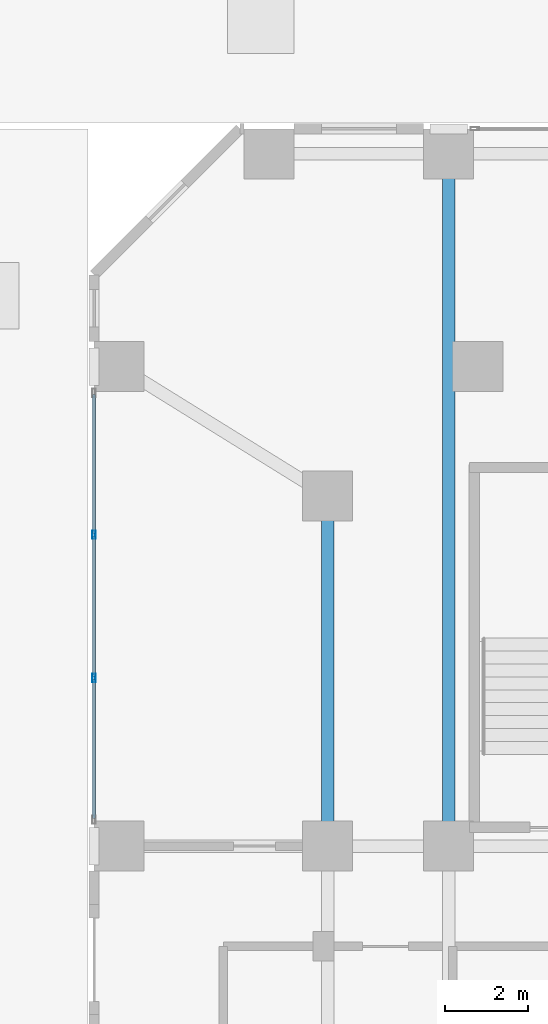
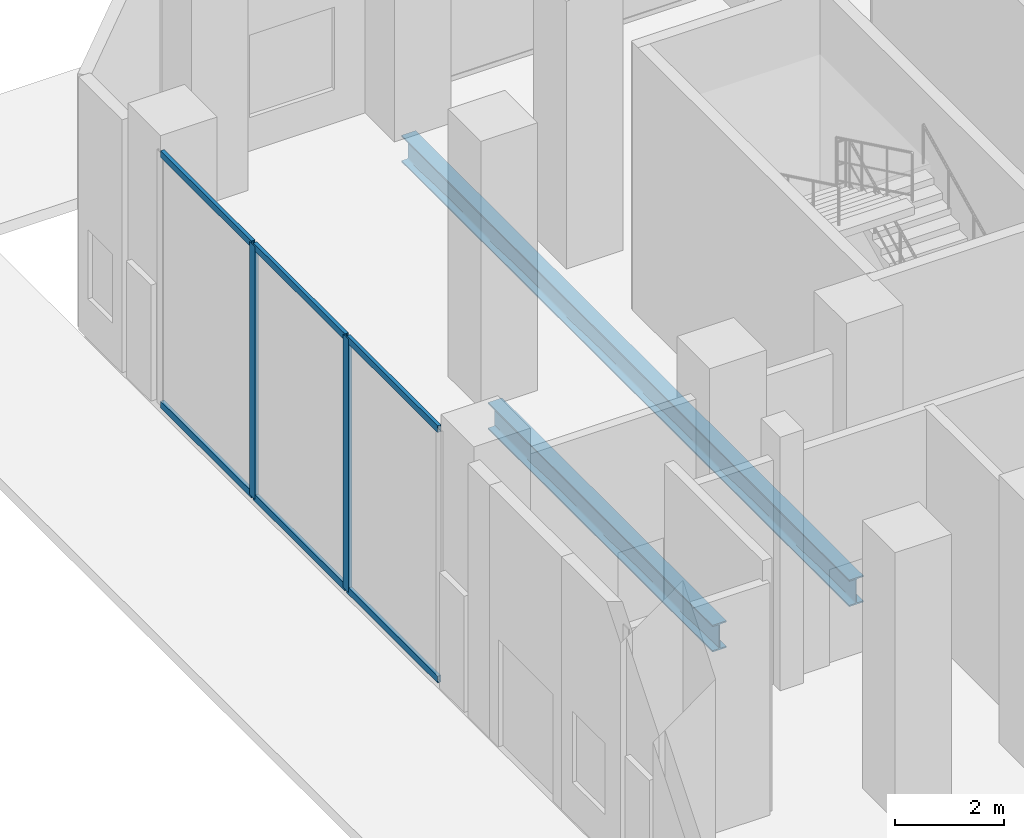
# One storey, part 6 of 26: 8 members, 2 beams, 1 element without a shape of its own.
"""IFC4 building model written with IfcOpenShell, lengths in metres."""

import ifcopenshell
import ifcopenshell.guid

model = None  # the IFC model being written
_history = None  # IfcOwnerHistory: only IFC2X3 demands one
_inside = {}  # id of a spatial element -> (the spatial element, [elements in it])
_under = {}  # id of a project, library or spatial element -> (it, [spatial elements below it])
_declared = {}  # id of a project -> (the project, [libraries it declares])
_typed = {}  # id of a type object -> (the type object, [elements of that type])
_made_of = {}  # id of a material, layer set ... -> (it, [elements and type objects made of it])


def new_model(schema):
    """Start an empty IFC model of exactly this schema.

    Asked for "IFC4X3", IfcOpenShell would pick the latest addendum, in which some entities
    have other attributes; the version numbers below select the first issue.
    IFC2X3 requires an IfcOwnerHistory on every rooted entity: one is made here for all.
    """
    global model, _history
    if schema == "IFC4X3":
        model = ifcopenshell.file(schema_version=(4, 3, 0, 0))
    else:
        model = ifcopenshell.file(schema=schema)
    _inside.clear()
    _under.clear()
    _declared.clear()
    _typed.clear()
    _made_of.clear()
    _history = None
    if model.schema == "IFC2X3":
        org = make("IfcOrganization", Name="unknown")
        user = make(
            "IfcPersonAndOrganization",
            ThePerson=make("IfcPerson", FamilyName="unknown"),
            TheOrganization=org,
        )
        app = make(
            "IfcApplication",
            ApplicationDeveloper=org,
            Version="unknown",
            ApplicationFullName="unknown",
            ApplicationIdentifier="unknown",
        )
        _history = make(
            "IfcOwnerHistory",
            OwningUser=user,
            OwningApplication=app,
            ChangeAction="ADDED",
            CreationDate=0,
        )
    return model


def make(cls, **values):
    """One entity of the class cls with the attributes given. An attribute that is None is left unset."""
    return model.create_entity(
        cls, **{name: value for name, value in values.items() if value is not None}
    )


def rooted(cls, **values):
    """An entity with a GlobalId (a new one), such as an element, a storey or a relation."""
    return make(cls, GlobalId=ifcopenshell.guid.new(), OwnerHistory=_history, **values)


def si_unit(unit_type, name, prefix=None):
    """IfcSIUnit, for example si_unit("LENGTHUNIT", "METRE", prefix="MILLI")."""
    return make("IfcSIUnit", UnitType=unit_type, Prefix=prefix, Name=name)


def assignment(units):
    """IfcUnitAssignment: the units of a project."""
    return None if units is None else make("IfcUnitAssignment", Units=units)


def point(xyz):
    """IfcCartesianPoint."""
    return None if xyz is None else make("IfcCartesianPoint", Coordinates=xyz)


def direction(xyz):
    """IfcDirection."""
    return None if xyz is None else make("IfcDirection", DirectionRatios=xyz)


def frame(location, z_axis=None, x_axis=None):
    """IfcAxis2Placement3D, a coordinate frame: its origin and axes. An axis left out is left unset."""
    return make(
        "IfcAxis2Placement3D",
        Location=point(location),
        Axis=direction(z_axis),
        RefDirection=direction(x_axis),
    )


def frame_2d(location, x_axis=None):
    """IfcAxis2Placement2D, a coordinate frame in the plane: its origin and x axis."""
    return make(
        "IfcAxis2Placement2D", Location=point(location), RefDirection=direction(x_axis)
    )


def origin():
    """The frame at (0, 0, 0) with its axes left unset."""
    return frame((0.0, 0.0, 0.0))


def origin_2d():
    """The frame at (0, 0) in the plane with its x axis left unset."""
    return frame_2d((0.0, 0.0))


def place(relative_to, where):
    """IfcLocalPlacement: puts the frame where relative to a parent placement (None: the world)."""
    return make(
        "IfcLocalPlacement", PlacementRelTo=relative_to, RelativePlacement=where
    )


def context(
    kind, dimensions, precision=None, world=None, true_north=None, identifier=None
):
    """IfcGeometricRepresentationContext, for example the 3D "Model" context."""
    return make(
        "IfcGeometricRepresentationContext",
        ContextIdentifier=identifier,
        ContextType=kind,
        CoordinateSpaceDimension=dimensions,
        Precision=precision,
        WorldCoordinateSystem=world,
        TrueNorth=true_north,
    )


def subcontext(parent, identifier, kind, view, scale=None):
    """IfcGeometricRepresentationSubContext, for example "Body" below "Model"."""
    return make(
        "IfcGeometricRepresentationSubContext",
        ContextIdentifier=identifier,
        ContextType=kind,
        ParentContext=parent,
        TargetScale=scale,
        TargetView=view,
    )


def project(units=None, contexts=None):
    """IfcProject with its units and contexts."""
    return rooted(
        "IfcProject",
        Name="project",
        RepresentationContexts=contexts,
        UnitsInContext=assignment(units),
    )


def spatial(cls, under=None, at=None, **own):
    """A site, building, storey or space (cls), placed at a placement, below another one or the project."""
    s = rooted(cls, ObjectPlacement=at, **own)
    if under is not None:
        _under.setdefault(under.id(), (under, []))[1].append(s)
    return s


def profile(cls, at=None, kind="AREA", **sizes):
    """A parametric profile (cls). Its sizes go by their IFC names, for example OverallWidth=200.0."""
    return make(cls, ProfileType=kind, Position=at, **sizes)


def hollow_rectangle(**sizes):
    """IfcRectangleHollowProfileDef."""
    return profile("IfcRectangleHollowProfileDef", **sizes)


def i_section(**sizes):
    """IfcIShapeProfileDef."""
    return profile("IfcIShapeProfileDef", **sizes)


def extrude(swept, where, along, depth):
    """IfcExtrudedAreaSolid: the profile swept, set in the frame where, extruded along a direction by depth."""
    return make(
        "IfcExtrudedAreaSolid",
        SweptArea=swept,
        Position=where,
        ExtrudedDirection=direction(along),
        Depth=depth,
    )


def shape(context_of_items, identifier, shape_type, items):
    """IfcShapeRepresentation: the items that make up one representation, for example the "Body"."""
    return make(
        "IfcShapeRepresentation",
        ContextOfItems=context_of_items,
        RepresentationIdentifier=identifier,
        RepresentationType=shape_type,
        Items=items,
    )


def material(Name=None, Category=None):
    """IfcMaterial."""
    return make("IfcMaterial", Name=Name, Category=Category)


def layer(
    of_material, thickness, ventilated=None, Name=None, Category=None, Priority=None
):
    """IfcMaterialLayer: one layer of a wall or slab, of a material (None: an air gap)."""
    return make(
        "IfcMaterialLayer",
        Material=of_material,
        LayerThickness=thickness,
        IsVentilated=ventilated,
        Name=Name,
        Category=Category,
        Priority=Priority,
    )


def layer_set(layers, Name=None):
    """IfcMaterialLayerSet."""
    return make("IfcMaterialLayerSet", MaterialLayers=layers, LayerSetName=Name)


def material_profile(
    of_material, cross_section, Name=None, Category=None, Priority=None
):
    """IfcMaterialProfile: a cross section and its material."""
    return make(
        "IfcMaterialProfile",
        Name=Name,
        Material=of_material,
        Profile=cross_section,
        Priority=Priority,
        Category=Category,
    )


def profile_set(profiles, Name=None, composite=None):
    """IfcMaterialProfileSet."""
    return make(
        "IfcMaterialProfileSet",
        Name=Name,
        MaterialProfiles=profiles,
        CompositeProfile=composite,
    )


def made_of(thing, what):
    """Note that an element or type object is made of a material, layer set ...; save() writes the relation."""
    if what is not None:
        _made_of.setdefault(what.id(), (what, []))[1].append(thing)
    return thing


def type_object(cls, material=None, **own):
    """A type object (cls), such as IfcWallType, which elements share."""
    return made_of(rooted(cls, **own), material)


def element(
    cls,
    number,
    at=None,
    inside=None,
    cuts=None,
    type_object=None,
    material=None,
    context=None,
    identifier="Body",
    shape_type=None,
    held_by="IfcProductDefinitionShape",
    body=None,
    shapes=None,
    **own,
):
    """One element of the class cls, such as IfcWall. Its Tag is "e" and its number.

    at: its placement. inside: the storey or other place that contains it. cuts: it is an
    opening in that element (IfcRelVoidsElement). A single representation is given by context,
    identifier, shape_type and body (its items); several are given by shapes. held_by: the class
    of the entity that holds the representations. save() writes the other relations.
    """
    e = rooted(cls, Tag="e%d" % number, ObjectPlacement=at, **own)
    if body is not None:
        shapes = [shape(context, identifier, shape_type, body)]
    if shapes is not None:
        e.Representation = make(held_by, Representations=shapes)
    if inside is not None:
        _inside.setdefault(inside.id(), (inside, []))[1].append(e)
    if cuts is not None:
        rooted(
            "IfcRelVoidsElement", RelatingBuildingElement=cuts, RelatedOpeningElement=e
        )
    if type_object is not None:
        _typed.setdefault(type_object.id(), (type_object, []))[1].append(e)
    return made_of(e, material)


def aggregate(whole, parts):
    """IfcRelAggregates: a whole, such as a stair, and the parts it consists of."""
    return rooted("IfcRelAggregates", RelatingObject=whole, RelatedObjects=parts)


def save(model, path):
    """Write the relations noted so far, then the file.

    IfcRelAggregates (storeys below a building ...), IfcRelContainedInSpatialStructure (elements
    in a storey), IfcRelDefinesByType, IfcRelAssociatesMaterial and IfcRelDeclares: one each for
    every whole, place, type object, material and project.
    """
    for whole, parts in _under.values():
        aggregate(whole, parts)
    for where, things in _inside.values():
        rooted(
            "IfcRelContainedInSpatialStructure",
            RelatedElements=things,
            RelatingStructure=where,
        )
    for kind, things in _typed.values():
        rooted("IfcRelDefinesByType", RelatedObjects=things, RelatingType=kind)
    for what, things in _made_of.values():
        rooted("IfcRelAssociatesMaterial", RelatedObjects=things, RelatingMaterial=what)
    for by, libraries in _declared.values():
        rooted("IfcRelDeclares", RelatingContext=by, RelatedDefinitions=libraries)
    model.write(path)


model = new_model("IFC4")

# Units and contexts
model_context = context("Model", 3, precision=1e-05, world=origin(), true_north=direction((0.0, 1.0)))
body_context = subcontext(model_context, "Body", "Model", "MODEL_VIEW")
ifc_project = project(units=[si_unit("LENGTHUNIT", "METRE"), si_unit("AREAUNIT", "SQUARE_METRE"), si_unit("VOLUMEUNIT", "CUBIC_METRE"), si_unit("PLANEANGLEUNIT", "RADIAN"), si_unit("MASSUNIT", "GRAM", prefix="KILO")], contexts=[model_context])

# Site, building, storey
site_placement = place(None, origin())
site = spatial("IfcSite", under=ifc_project, at=site_placement, CompositionType="ELEMENT")
building_placement = place(site_placement, origin())
building = spatial("IfcBuilding", under=site, at=building_placement, Name="Catumbela Crestline Tower", CompositionType="ELEMENT")
storey_placement = place(building_placement, origin())
storey = spatial("IfcBuildingStorey", under=building, at=storey_placement, Name="L00", CompositionType="ELEMENT", Elevation=0.0)

# Beams
ifc_material_1 = material(Name="Structural steel S355J2", Category="steel")
ifc_material_profile_1 = material_profile(ifc_material_1, i_section(OverallWidth=0.3, OverallDepth=0.6, WebThickness=0.0155, FlangeThickness=0.03, FilletRadius=0.027, at=origin_2d()), Name="HEB 600")
ifc_profile_set_1 = profile_set([ifc_material_profile_1], Name="Structural steel S355J2")
beam_type = type_object("IfcBeamType", Name="BG-HEB600", PredefinedType="BEAM", material=ifc_profile_set_1)
beam_1_placement = place(storey_placement, frame((5.6, 30.88, -0.62), z_axis=(0.0, 1.0, 0.0), x_axis=(-1.0, 0.0, 0.0)))
element("IfcBeam", 1, at=beam_1_placement, inside=storey, type_object=beam_type, Name="L00 Beam BM-L00-SN24", PredefinedType="BEAM", context=body_context, shape_type="SweptSolid", body=[
    extrude(i_section(OverallWidth=0.3, OverallDepth=0.6, WebThickness=0.0155, FlangeThickness=0.03, FilletRadius=0.027, at=origin_2d()), origin(), (0.0, 0.0, 1.0), 8.24),
])
beam_2_placement = place(storey_placement, frame((8.5, 30.88, -0.62), z_axis=(0.0, 1.0, 0.0), x_axis=(-1.0, 0.0, 0.0)))
element("IfcBeam", 2, at=beam_2_placement, inside=storey, type_object=beam_type, Name="L00 Beam BM-L00-SN26", PredefinedType="BEAM", context=body_context, shape_type="SweptSolid", body=[
    extrude(i_section(OverallWidth=0.3, OverallDepth=0.6, WebThickness=0.0155, FlangeThickness=0.03, FilletRadius=0.027, at=origin_2d()), origin(), (0.0, 0.0, 1.0), 16.44),
])

# Curtain wall, members
ifc_material_2 = material(Name="Aluminium alloy AW-6060-T66", Category="aluminium")
ifc_layer = layer(ifc_material_2, 0.18, Name="Aluminium alloy AW-6060-T66")
ifc_layer_set = layer_set([ifc_layer], Name="Aluminium alloy AW-6060-T66")
curtain_wall_type = type_object("IfcCurtainWallType", Name="CWS-POD", PredefinedType="USERDEFINED", material=ifc_layer_set)
curtain_wall_placement = place(storey_placement, origin())
curtain_wall = element("IfcCurtainWall", 3, at=curtain_wall_placement, inside=storey, type_object=curtain_wall_type, Name="L00 Stick Curtain Wall CW-L00-E9S2", ObjectType="STICK", PredefinedType="USERDEFINED")
ifc_material_profile_2 = material_profile(ifc_material_2, hollow_rectangle(XDim=0.075, YDim=0.2, WallThickness=0.005, at=origin_2d()), Name="ALU 200x75x5")
ifc_profile_set_2 = profile_set([ifc_material_profile_2], Name="Aluminium alloy AW-6060-T66")
member_type_1 = type_object("IfcMemberType", Name="MUL-200X75", PredefinedType="MULLION", material=ifc_profile_set_2)
member_1_placement = place(storey_placement, frame((0.0, 38.2667, 0.0), z_axis=(0.0, 0.0, 1.0), x_axis=(1.0, 0.0, 0.0)))
member_1 = element("IfcMember", 4, at=member_1_placement, type_object=member_type_1, Name="CWS-POD mullion 2", PredefinedType="MULLION", context=body_context, shape_type="SweptSolid", body=[
    extrude(hollow_rectangle(XDim=0.075, YDim=0.2, WallThickness=0.005, at=origin_2d()), origin(), (0.0, 0.0, 1.0), 5.67),
])
member_2_placement = place(storey_placement, frame((0.0, 34.8333, 0.0), z_axis=(0.0, 0.0, 1.0), x_axis=(1.0, 0.0, 0.0)))
member_2 = element("IfcMember", 5, at=member_2_placement, type_object=member_type_1, Name="CWS-POD mullion 3", PredefinedType="MULLION", context=body_context, shape_type="SweptSolid", body=[
    extrude(hollow_rectangle(XDim=0.075, YDim=0.2, WallThickness=0.005, at=origin_2d()), origin(), (0.0, 0.0, 1.0), 5.67),
])
ifc_material_profile_3 = material_profile(ifc_material_2, hollow_rectangle(XDim=0.075, YDim=0.15, WallThickness=0.0045, at=origin_2d()), Name="ALU 150x75x4.5")
ifc_profile_set_3 = profile_set([ifc_material_profile_3], Name="Aluminium alloy AW-6060-T66")
member_type_2 = type_object("IfcMemberType", Name="TRN-150X75", PredefinedType="USERDEFINED", material=ifc_profile_set_3)
member_3_placement = place(storey_placement, frame((0.0, 41.635, 0.03), z_axis=(0.0, -1.0, 0.0), x_axis=(1.0, 0.0, 0.0)))
member_3 = element("IfcMember", 6, at=member_3_placement, type_object=member_type_2, Name="CWS-POD transom 1.1", ObjectType="TRANSOM", PredefinedType="USERDEFINED", context=body_context, shape_type="SweptSolid", body=[
    extrude(hollow_rectangle(XDim=0.075, YDim=0.15, WallThickness=0.0045, at=origin_2d()), origin(), (0.0, 0.0, 1.0), 3.3358),
])
member_4_placement = place(storey_placement, frame((0.0, 41.635, 5.64), z_axis=(0.0, -1.0, 0.0), x_axis=(1.0, 0.0, 0.0)))
member_4 = element("IfcMember", 7, at=member_4_placement, type_object=member_type_2, Name="CWS-POD transom 1.2", ObjectType="TRANSOM", PredefinedType="USERDEFINED", context=body_context, shape_type="SweptSolid", body=[
    extrude(hollow_rectangle(XDim=0.075, YDim=0.15, WallThickness=0.0045, at=origin_2d()), origin(), (0.0, 0.0, 1.0), 3.3358),
])
member_5_placement = place(storey_placement, frame((0.0, 38.2342, 0.03), z_axis=(0.0, -1.0, 0.0), x_axis=(1.0, 0.0, 0.0)))
member_5 = element("IfcMember", 8, at=member_5_placement, type_object=member_type_2, Name="CWS-POD transom 2.1", ObjectType="TRANSOM", PredefinedType="USERDEFINED", context=body_context, shape_type="SweptSolid", body=[
    extrude(hollow_rectangle(XDim=0.075, YDim=0.15, WallThickness=0.0045, at=origin_2d()), origin(), (0.0, 0.0, 1.0), 3.3684),
])
member_6_placement = place(storey_placement, frame((0.0, 38.2342, 5.64), z_axis=(0.0, -1.0, 0.0), x_axis=(1.0, 0.0, 0.0)))
member_6 = element("IfcMember", 9, at=member_6_placement, type_object=member_type_2, Name="CWS-POD transom 2.2", ObjectType="TRANSOM", PredefinedType="USERDEFINED", context=body_context, shape_type="SweptSolid", body=[
    extrude(hollow_rectangle(XDim=0.075, YDim=0.15, WallThickness=0.0045, at=origin_2d()), origin(), (0.0, 0.0, 1.0), 3.3684),
])
member_7_placement = place(storey_placement, frame((0.0, 34.8008, 0.03), z_axis=(0.0, -1.0, 0.0), x_axis=(1.0, 0.0, 0.0)))
member_7 = element("IfcMember", 10, at=member_7_placement, type_object=member_type_2, Name="CWS-POD transom 3.1", ObjectType="TRANSOM", PredefinedType="USERDEFINED", context=body_context, shape_type="SweptSolid", body=[
    extrude(hollow_rectangle(XDim=0.075, YDim=0.15, WallThickness=0.0045, at=origin_2d()), origin(), (0.0, 0.0, 1.0), 3.3358),
])
member_8_placement = place(storey_placement, frame((0.0, 34.8008, 5.64), z_axis=(0.0, -1.0, 0.0), x_axis=(1.0, 0.0, 0.0)))
member_8 = element("IfcMember", 11, at=member_8_placement, type_object=member_type_2, Name="CWS-POD transom 3.2", ObjectType="TRANSOM", PredefinedType="USERDEFINED", context=body_context, shape_type="SweptSolid", body=[
    extrude(hollow_rectangle(XDim=0.075, YDim=0.15, WallThickness=0.0045, at=origin_2d()), origin(), (0.0, 0.0, 1.0), 3.3358),
])
aggregate(curtain_wall, [member_1, member_2, member_3, member_4, member_5, member_6, member_7, member_8])

save(model, "model.ifc")
